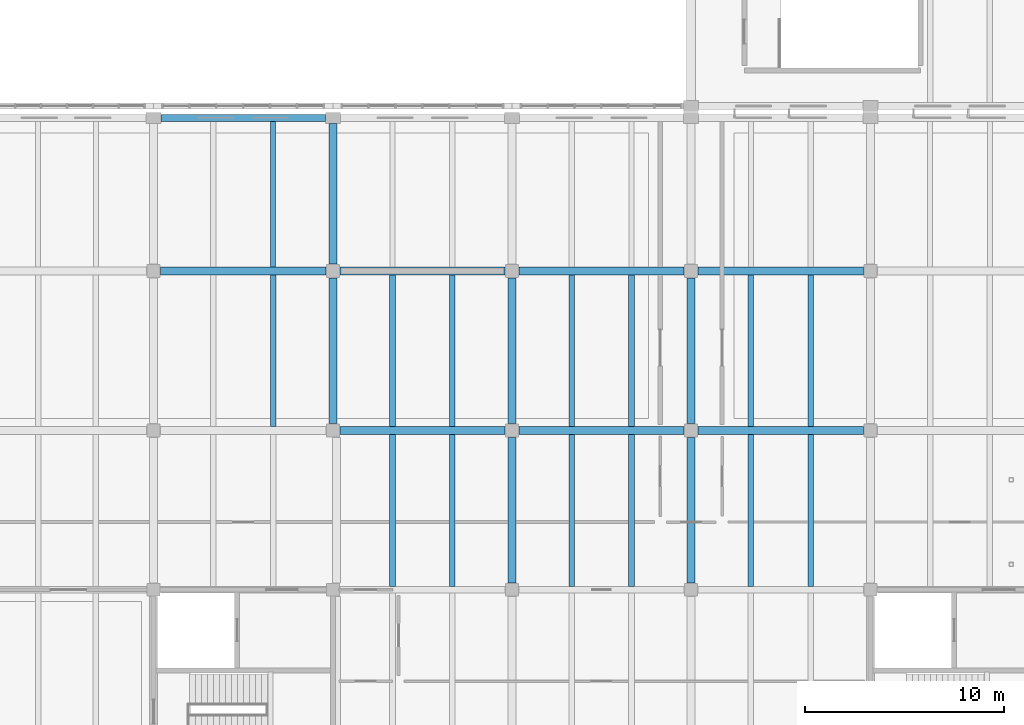
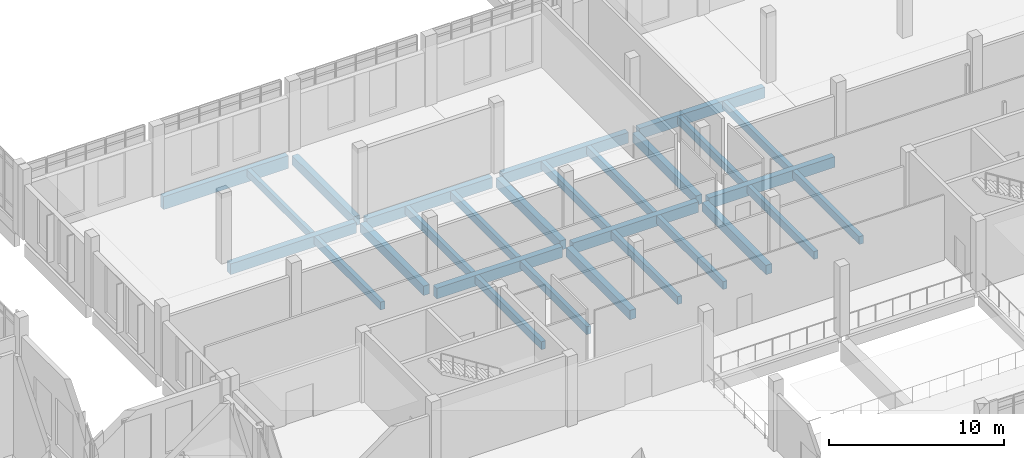
# One storey, part 34 of 110: 28 beams.
"""IFC4 building model written with IfcOpenShell, lengths in metres."""

from ifc_helpers import new_model, si_unit, direction, frame, origin, origin_2d, place, context, subcontext, project, spatial, rectangle, extrude, material, material_profile, profile_set, type_object, element, save


model = new_model("IFC4")

# Units and contexts
model_context = context("Model", 3, precision=1e-05, world=origin(), true_north=direction((0.0, 1.0)))
body_context = subcontext(model_context, "Body", "Model", "MODEL_VIEW")
ifc_project = project(units=[si_unit("LENGTHUNIT", "METRE"), si_unit("AREAUNIT", "SQUARE_METRE"), si_unit("VOLUMEUNIT", "CUBIC_METRE"), si_unit("PLANEANGLEUNIT", "RADIAN"), si_unit("MASSUNIT", "GRAM", prefix="KILO")], contexts=[model_context])

# Site, building, storey
site_placement = place(None, origin())
site = spatial("IfcSite", under=ifc_project, at=site_placement, CompositionType="ELEMENT")
building_placement = place(site_placement, origin())
building = spatial("IfcBuilding", under=site, at=building_placement, Name="Zacnel Wholesale Market", CompositionType="ELEMENT")
storey_placement = place(building_placement, frame((0.0, 0.0, 6.300048828125)))
storey = spatial("IfcBuildingStorey", under=building, at=storey_placement, Name="L02", CompositionType="ELEMENT", Elevation=6.300048828125)

# Beams
ifc_material_1 = material(Name="Precast concrete C45/55", Category="concrete")
ifc_material_profile_1 = material_profile(ifc_material_1, rectangle(XDim=0.280029296875, YDim=0.550048828125, at=origin_2d()), Name="DT RIB 280x550")
ifc_profile_set_1 = profile_set([ifc_material_profile_1], Name="Precast concrete C45/55")
beam_type_1 = type_object("IfcBeamType", Name="BM-DT550", PredefinedType="JOIST", material=ifc_profile_set_1)
for number, where, z_axis, x_axis, name in (
    (1, (165.0, 24.175048828125, -0.574951171875), (0.0, 1.0, 0.0), (-1.0, 0.0, 0.0), "Precast secondary joist L02-0103"),
    (2, (168.0, 24.175048828125, -0.574951171875), (0.0, 1.0, 0.0), (-1.0, 0.0, 0.0), "Precast secondary joist L02-0104"),
    (3, (174.0, 24.175048828125, -0.574951171875), (0.0, 1.0, 0.0), (-1.0, 0.0, 0.0), "Precast secondary joist L02-0105"),
    (4, (177.0, 24.175048828125, -0.574951171875), (0.0, 1.0, 0.0), (-1.0, 0.0, 0.0), "Precast secondary joist L02-0106"),
    (5, (183.0, 24.175048828125, -0.574951171875), (0.0, 1.0, 0.0), (-1.0, 0.0, 0.0), "Precast secondary joist L02-0107"),
    (6, (186.0, 24.175048828125, -0.574951171875), (0.0, 1.0, 0.0), (-1.0, 0.0, 0.0), "Precast secondary joist L02-0108"),
):
    element("IfcBeam", number, at=place(storey_placement, frame(where, z_axis=z_axis, x_axis=x_axis)), inside=storey, type_object=beam_type_1, Name=name, PredefinedType="JOIST", context=body_context, shape_type="SweptSolid", body=[
        extrude(rectangle(XDim=0.280029296875, YDim=0.550048828125, at=origin_2d()), origin(), (0.0, 0.0, 1.0), 7.625),
    ])
for number, where, z_axis, x_axis, name in (
    (7, (159.0, 32.199951171875, -0.574951171875), (0.0, 1.0, 0.0), (-1.0, 0.0, 0.0), "Precast secondary joist L02-0136"),
    (8, (165.0, 32.199951171875, -0.574951171875), (0.0, 1.0, 0.0), (-1.0, 0.0, 0.0), "Precast secondary joist L02-0137"),
    (9, (168.0, 32.199951171875, -0.574951171875), (0.0, 1.0, 0.0), (-1.0, 0.0, 0.0), "Precast secondary joist L02-0138"),
    (10, (174.0, 32.199951171875, -0.574951171875), (0.0, 1.0, 0.0), (-1.0, 0.0, 0.0), "Precast secondary joist L02-0139"),
    (11, (177.0, 32.199951171875, -0.574951171875), (0.0, 1.0, 0.0), (-1.0, 0.0, 0.0), "Precast secondary joist L02-0140"),
    (12, (183.0, 32.199951171875, -0.574951171875), (0.0, 1.0, 0.0), (-1.0, 0.0, 0.0), "Precast secondary joist L02-0141"),
    (13, (186.0, 32.199951171875, -0.574951171875), (0.0, 1.0, 0.0), (-1.0, 0.0, 0.0), "Precast secondary joist L02-0142"),
):
    element("IfcBeam", number, at=place(storey_placement, frame(where, z_axis=z_axis, x_axis=x_axis)), inside=storey, type_object=beam_type_1, Name=name, PredefinedType="JOIST", context=body_context, shape_type="SweptSolid", body=[
        extrude(rectangle(XDim=0.280029296875, YDim=0.550048828125, at=origin_2d()), origin(), (0.0, 0.0, 1.0), 7.60009765625),
    ])
ifc_material_2 = material(Name="Precast concrete C45/55", Category="concrete")
ifc_material_profile_2 = material_profile(ifc_material_2, rectangle(XDim=0.39990234375, YDim=0.64990234375, at=origin_2d()), Name="PG 400x650")
ifc_profile_set_2 = profile_set([ifc_material_profile_2], Name="Precast concrete C45/55")
beam_type_2 = type_object("IfcBeamType", Name="BM-PG650", PredefinedType="BEAM", material=ifc_profile_set_2)
beam_1_placement = place(storey_placement, frame((162.0, 32.35009765625, -0.625), z_axis=(0.0, 1.0, 0.0), x_axis=(-1.0, 0.0, 0.0)))
element("IfcBeam", 14, at=beam_1_placement, inside=storey, type_object=beam_type_2, Name="Precast girder Y-0492", PredefinedType="BEAM", context=body_context, shape_type="SweptSolid", body=[
    extrude(rectangle(XDim=0.39990234375, YDim=0.64990234375, at=origin_2d()), origin(), (0.0, 0.0, 1.0), 7.2998046875),
])
beam_2_placement = place(storey_placement, frame((162.0, 40.35009765625, -0.625), z_axis=(0.0, 1.0, 0.0), x_axis=(-1.0, 0.0, 0.0)))
element("IfcBeam", 15, at=beam_2_placement, inside=storey, type_object=beam_type_2, Name="Precast girder Y-0493", PredefinedType="BEAM", context=body_context, shape_type="SweptSolid", body=[
    extrude(rectangle(XDim=0.39990234375, YDim=0.64990234375, at=origin_2d()), origin(), (0.0, 0.0, 1.0), 7.074951171875),
])
for number, where, z_axis, x_axis, name in (
    (16, (171.0, 24.35009765625, -0.625), (0.0, 1.0, 0.0), (-1.0, 0.0, 0.0), "Precast girder Y-0498"),
    (17, (171.0, 32.35009765625, -0.625), (0.0, 1.0, 0.0), (-1.0, 0.0, 0.0), "Precast girder Y-0499"),
    (18, (180.0, 24.35009765625, -0.625), (0.0, 1.0, 0.0), (-1.0, 0.0, 0.0), "Precast girder Y-0504"),
    (19, (180.0, 32.35009765625, -0.625), (0.0, 1.0, 0.0), (-1.0, 0.0, 0.0), "Precast girder Y-0505"),
):
    element("IfcBeam", number, at=place(storey_placement, frame(where, z_axis=z_axis, x_axis=x_axis)), inside=storey, type_object=beam_type_2, Name=name, PredefinedType="BEAM", context=body_context, shape_type="SweptSolid", body=[
        extrude(rectangle(XDim=0.39990234375, YDim=0.64990234375, at=origin_2d()), origin(), (0.0, 0.0, 1.0), 7.2998046875),
    ])
ifc_material_3 = material(Name="Precast concrete C45/55", Category="concrete")
ifc_material_profile_3 = material_profile(ifc_material_3, rectangle(XDim=0.39990234375, YDim=0.75, at=origin_2d()), Name="PG 400x750")
ifc_profile_set_3 = profile_set([ifc_material_profile_3], Name="Precast concrete C45/55")
beam_type_3 = type_object("IfcBeamType", Name="BM-PG750", PredefinedType="BEAM", material=ifc_profile_set_3)
for number, where, z_axis, x_axis, name in (
    (20, (162.35009765625, 32.0, -0.675048828125), (1.0, 0.0, 0.0), (0.0, 1.0, 0.0), "Precast girder X-0088"),
    (21, (171.35009765625, 32.0, -0.675048828125), (1.0, 0.0, 0.0), (0.0, 1.0, 0.0), "Precast girder X-0089"),
    (22, (180.35009765625, 32.0, -0.675048828125), (1.0, 0.0, 0.0), (0.0, 1.0, 0.0), "Precast girder X-0090"),
    (23, (153.35009765625, 40.0, -0.675048828125), (1.0, 0.0, 0.0), (0.0, 1.0, 0.0), "Precast girder X-0108"),
    (24, (162.35009765625, 40.0, -0.675048828125), (1.0, 0.0, 0.0), (0.0, 1.0, 0.0), "Precast girder X-0109"),
    (25, (171.35009765625, 40.0, -0.675048828125), (1.0, 0.0, 0.0), (0.0, 1.0, 0.0), "Precast girder X-0110"),
    (26, (180.35009765625, 40.0, -0.675048828125), (1.0, 0.0, 0.0), (0.0, 1.0, 0.0), "Precast girder X-0111"),
):
    element("IfcBeam", number, at=place(storey_placement, frame(where, z_axis=z_axis, x_axis=x_axis)), inside=storey, type_object=beam_type_3, Name=name, PredefinedType="BEAM", context=body_context, shape_type="SweptSolid", body=[
        extrude(rectangle(XDim=0.39990234375, YDim=0.75, at=origin_2d()), origin(), (0.0, 0.0, 1.0), 8.2998046875),
    ])
ifc_material_4 = material(Name="Precast concrete C45/55", Category="concrete")
ifc_material_profile_4 = material_profile(ifc_material_4, rectangle(XDim=0.260009765625, YDim=0.5, at=origin_2d()), Name="PJ 260x500")
ifc_profile_set_4 = profile_set([ifc_material_profile_4], Name="Precast concrete C45/55")
beam_type_4 = type_object("IfcBeamType", Name="BM-PJ500", PredefinedType="HOLLOWCORE", material=ifc_profile_set_4)
beam_3_placement = place(storey_placement, frame((159.0, 40.199951171875, -0.550048828125), z_axis=(0.0, 1.0, 0.0), x_axis=(-1.0, 0.0, 0.0)))
element("IfcBeam", 27, at=beam_3_placement, inside=storey, type_object=beam_type_4, Name="Precast secondary joist L02-0172", PredefinedType="HOLLOWCORE", context=body_context, shape_type="SweptSolid", body=[
    extrude(rectangle(XDim=0.260009765625, YDim=0.5, at=origin_2d()), origin(), (0.0, 0.0, 1.0), 7.324951171875),
])
ifc_material_5 = material(Name="Precast concrete C45/55", Category="concrete")
ifc_material_profile_5 = material_profile(ifc_material_5, rectangle(XDim=0.35009765625, YDim=0.89990234375, at=origin_2d()), Name="SP 350x900")
ifc_profile_set_5 = profile_set([ifc_material_profile_5], Name="Precast concrete C45/55")
beam_type_5 = type_object("IfcBeamType", Name="BM-SP900", PredefinedType="SPANDREL", material=ifc_profile_set_5)
beam_4_placement = place(storey_placement, frame((153.375, 47.699951171875, -0.75), z_axis=(1.0, 0.0, 0.0), x_axis=(0.0, 1.0, 0.0)))
element("IfcBeam", 28, at=beam_4_placement, inside=storey, type_object=beam_type_5, Name="Precast girder X-0130", PredefinedType="SPANDREL", context=body_context, shape_type="SweptSolid", body=[
    extrude(rectangle(XDim=0.35009765625, YDim=0.89990234375, at=origin_2d()), origin(), (0.0, 0.0, 1.0), 8.25),
])

save(model, "model.ifc")
